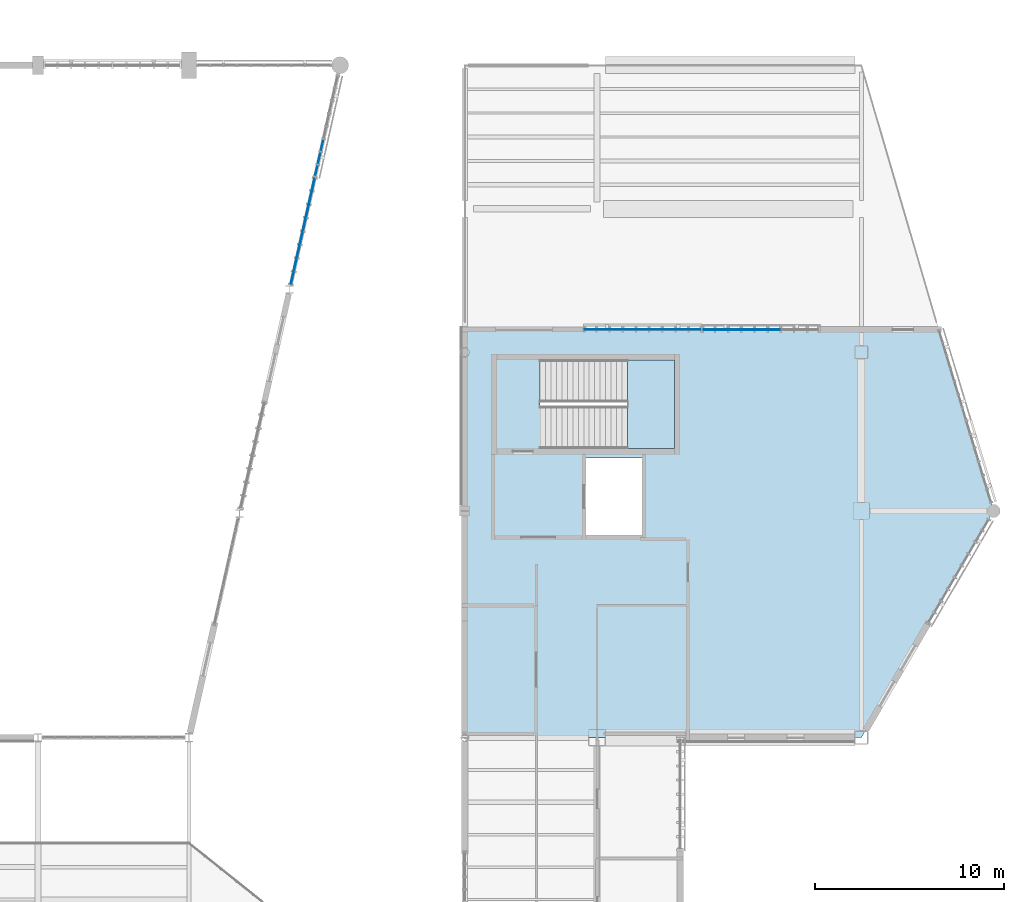
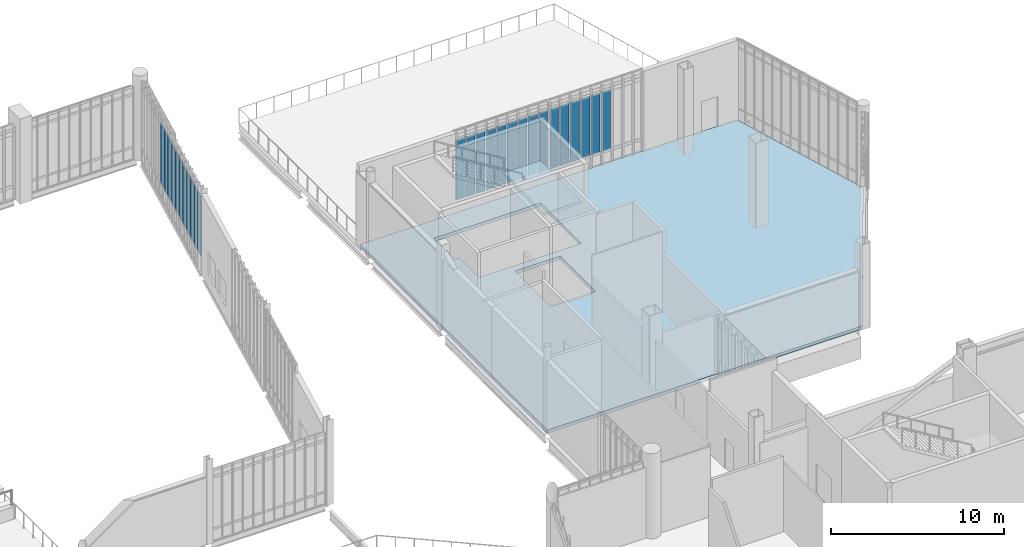
# One storey, part 77 of 135: 26 plates, 2 slabs, 5 elements without a shape of their own.
"""IFC4 building model written with IfcOpenShell, lengths in metres."""

from ifc_helpers import new_model, si_unit, direction, frame, origin, origin_2d, place, context, subcontext, project, spatial, polyline, rectangle, outline, extrude, material, layer, layer_set, type_object, element, aggregate, save


model = new_model("IFC4")

# Units and contexts
model_context = context("Model", 3, precision=1e-05, world=origin(), true_north=direction((0.0, 1.0)))
body_context = subcontext(model_context, "Body", "Model", "MODEL_VIEW")
ifc_project = project(units=[si_unit("LENGTHUNIT", "METRE"), si_unit("AREAUNIT", "SQUARE_METRE"), si_unit("VOLUMEUNIT", "CUBIC_METRE"), si_unit("PLANEANGLEUNIT", "RADIAN"), si_unit("MASSUNIT", "GRAM", prefix="KILO")], contexts=[model_context])

# Site, building, storey
site_placement = place(None, origin())
site = spatial("IfcSite", under=ifc_project, at=site_placement, CompositionType="ELEMENT")
building_placement = place(site_placement, origin())
building = spatial("IfcBuilding", under=site, at=building_placement, Name="Larkvane Passage Sports Hall", CompositionType="ELEMENT")
storey_placement = place(building_placement, frame((0.0, 0.0, 10.800048828125)))
storey = spatial("IfcBuildingStorey", under=building, at=storey_placement, Name="L02", CompositionType="ELEMENT", Elevation=10.800048828125)

# Curtain wall, plates
ifc_material_1 = material(Name="Thermally broken aluminium and low-E glazing", Category="aluminium")
curtain_wall_type_1 = type_object("IfcCurtainWallType", Name="CW-UNIT-VEIL", PredefinedType="USERDEFINED", material=ifc_material_1)
curtain_wall_1_placement = place(storey_placement, origin())
curtain_wall_1 = element("IfcCurtainWall", 1, at=curtain_wall_1_placement, inside=storey, type_object=curtain_wall_type_1, Name="Curtain wall CW5-L02-081", ObjectType="UNITISED CURTAIN WALL", PredefinedType="USERDEFINED")
ifc_material_2 = material(Name="Laminated acoustic low-E glazing", Category="glass")
ifc_layer_1 = layer(ifc_material_2, 0.031982421875)
ifc_layer_set_1 = layer_set([ifc_layer_1], Name="Laminated acoustic low-E glazing")
plate_type_1 = type_object("IfcPlateType", Name="CWP-VIS-32", PredefinedType="CURTAIN_PANEL", material=ifc_layer_set_1)
plate_1_placement = place(storey_placement, frame((117.04638671875, 94.956787109375, 0.887451171875), z_axis=(0.0, 0.0, 1.0), x_axis=(-0.219257496416, -0.975667028379, 0.0)))
plate_1 = element("IfcPlate", 2, at=plate_1_placement, type_object=plate_type_1, Name="CW-02 panel 6.2", PredefinedType="CURTAIN_PANEL", context=body_context, shape_type="SweptSolid", body=[
    extrude(rectangle(XDim=0.61865234375, YDim=0.031982421875, at=origin_2d()), origin(), (0.0, 0.0, 1.0), 4.22509765625),
])
plate_2_placement = place(storey_placement, frame((116.894287109375, 94.280029296875, 0.887451171875), z_axis=(0.0, 0.0, 1.0), x_axis=(-0.219257496416, -0.975667028379, 0.0)))
plate_2 = element("IfcPlate", 3, at=plate_2_placement, type_object=plate_type_1, Name="CW-02 panel 7.2", PredefinedType="CURTAIN_PANEL", context=body_context, shape_type="SweptSolid", body=[
    extrude(rectangle(XDim=0.61865234375, YDim=0.031982421875, at=origin_2d()), origin(), (0.0, 0.0, 1.0), 4.22509765625),
])
plate_3_placement = place(storey_placement, frame((116.746337890625, 93.621337890625, 0.887451171875), z_axis=(0.0, 0.0, 1.0), x_axis=(-0.219257496416, -0.975667028379, 0.0)))
plate_3 = element("IfcPlate", 4, at=plate_3_placement, type_object=plate_type_1, Name="CW-02 panel 8.2", PredefinedType="CURTAIN_PANEL", context=body_context, shape_type="SweptSolid", body=[
    extrude(rectangle(XDim=0.581298828125, YDim=0.031982421875, at=origin_2d()), origin(), (0.0, 0.0, 1.0), 4.22509765625),
])
aggregate(curtain_wall_1, [plate_1, plate_2, plate_3])

curtain_wall_type_2 = type_object("IfcCurtainWallType", Name="CW-STICK-FOYER", PredefinedType="USERDEFINED", material=ifc_material_1)
curtain_wall_2_placement = place(storey_placement, origin())
curtain_wall_2 = element("IfcCurtainWall", 5, at=curtain_wall_2_placement, inside=storey, type_object=curtain_wall_type_2, Name="Curtain wall CW5-L02-066", ObjectType="STICK CURTAIN WALL", PredefinedType="USERDEFINED")
ifc_material_3 = material(Name="High-impact court low-E glazing", Category="glass")
ifc_layer_2 = layer(ifc_material_3, 0.035888671875)
ifc_layer_set_2 = layer_set([ifc_layer_2], Name="High-impact court low-E glazing")
plate_type_2 = type_object("IfcPlateType", Name="CWP-VIS-36", PredefinedType="CURTAIN_PANEL", material=ifc_layer_set_2)
plate_4_placement = place(storey_placement, frame((131.24609375, 85.199951171875, 0.89501953125), z_axis=(0.0, 0.0, 1.0), x_axis=(1.0, 0.0, 0.0)))
plate_4 = element("IfcPlate", 6, at=plate_4_placement, type_object=plate_type_2, Name="CW-03 panel 1.2", PredefinedType="CURTAIN_PANEL", context=body_context, shape_type="SweptSolid", body=[
    extrude(rectangle(XDim=0.562255859375, YDim=0.035888671875, at=origin_2d()), origin(), (0.0, 0.0, 1.0), 4.2099609375),
])
plate_5_placement = place(storey_placement, frame((131.9208984375, 85.199951171875, 0.89501953125), z_axis=(0.0, 0.0, 1.0), x_axis=(1.0, 0.0, 0.0)))
plate_5 = element("IfcPlate", 7, at=plate_5_placement, type_object=plate_type_2, Name="CW-03 panel 2.2", PredefinedType="CURTAIN_PANEL", context=body_context, shape_type="SweptSolid", body=[
    extrude(rectangle(XDim=0.607177734375, YDim=0.035888671875, at=origin_2d()), origin(), (0.0, 0.0, 1.0), 4.2099609375),
])
plate_6_placement = place(storey_placement, frame((132.6181640625, 85.199951171875, 0.89501953125), z_axis=(0.0, 0.0, 1.0), x_axis=(1.0, 0.0, 0.0)))
plate_6 = element("IfcPlate", 8, at=plate_6_placement, type_object=plate_type_2, Name="CW-03 panel 3.2", PredefinedType="CURTAIN_PANEL", context=body_context, shape_type="SweptSolid", body=[
    extrude(rectangle(XDim=0.607177734375, YDim=0.035888671875, at=origin_2d()), origin(), (0.0, 0.0, 1.0), 4.2099609375),
])
plate_7_placement = place(storey_placement, frame((133.315185546875, 85.199951171875, 0.89501953125), z_axis=(0.0, 0.0, 1.0), x_axis=(1.0, 0.0, 0.0)))
plate_7 = element("IfcPlate", 9, at=plate_7_placement, type_object=plate_type_2, Name="CW-03 panel 4.2", PredefinedType="CURTAIN_PANEL", context=body_context, shape_type="SweptSolid", body=[
    extrude(rectangle(XDim=0.607177734375, YDim=0.035888671875, at=origin_2d()), origin(), (0.0, 0.0, 1.0), 4.2099609375),
])
plate_8_placement = place(storey_placement, frame((134.012451171875, 85.199951171875, 0.89501953125), z_axis=(0.0, 0.0, 1.0), x_axis=(1.0, 0.0, 0.0)))
plate_8 = element("IfcPlate", 10, at=plate_8_placement, type_object=plate_type_2, Name="CW-03 panel 5.2", PredefinedType="CURTAIN_PANEL", context=body_context, shape_type="SweptSolid", body=[
    extrude(rectangle(XDim=0.607177734375, YDim=0.035888671875, at=origin_2d()), origin(), (0.0, 0.0, 1.0), 4.2099609375),
])
plate_9_placement = place(storey_placement, frame((134.709716796875, 85.199951171875, 0.89501953125), z_axis=(0.0, 0.0, 1.0), x_axis=(1.0, 0.0, 0.0)))
plate_9 = element("IfcPlate", 11, at=plate_9_placement, type_object=plate_type_2, Name="CW-03 panel 6.2", PredefinedType="CURTAIN_PANEL", context=body_context, shape_type="SweptSolid", body=[
    extrude(rectangle(XDim=0.607177734375, YDim=0.035888671875, at=origin_2d()), origin(), (0.0, 0.0, 1.0), 4.2099609375),
])
plate_10_placement = place(storey_placement, frame((135.406982421875, 85.199951171875, 0.89501953125), z_axis=(0.0, 0.0, 1.0), x_axis=(1.0, 0.0, 0.0)))
plate_10 = element("IfcPlate", 12, at=plate_10_placement, type_object=plate_type_2, Name="CW-03 panel 7.2", PredefinedType="CURTAIN_PANEL", context=body_context, shape_type="SweptSolid", body=[
    extrude(rectangle(XDim=0.607177734375, YDim=0.035888671875, at=origin_2d()), origin(), (0.0, 0.0, 1.0), 4.2099609375),
])
plate_11_placement = place(storey_placement, frame((136.104248046875, 85.199951171875, 0.89501953125), z_axis=(0.0, 0.0, 1.0), x_axis=(1.0, 0.0, 0.0)))
plate_11 = element("IfcPlate", 13, at=plate_11_placement, type_object=plate_type_2, Name="CW-03 panel 8.2", PredefinedType="CURTAIN_PANEL", context=body_context, shape_type="SweptSolid", body=[
    extrude(rectangle(XDim=0.607177734375, YDim=0.035888671875, at=origin_2d()), origin(), (0.0, 0.0, 1.0), 4.2099609375),
])
plate_12_placement = place(storey_placement, frame((136.77880859375, 85.199951171875, 0.89501953125), z_axis=(0.0, 0.0, 1.0), x_axis=(1.0, 0.0, 0.0)))
plate_12 = element("IfcPlate", 14, at=plate_12_placement, type_object=plate_type_2, Name="CW-03 panel 9.2", PredefinedType="CURTAIN_PANEL", context=body_context, shape_type="SweptSolid", body=[
    extrude(rectangle(XDim=0.562255859375, YDim=0.035888671875, at=origin_2d()), origin(), (0.0, 0.0, 1.0), 4.2099609375),
])
aggregate(curtain_wall_2, [plate_4, plate_5, plate_6, plate_7, plate_8, plate_9, plate_10, plate_11, plate_12])

curtain_wall_3_placement = place(storey_placement, origin())
curtain_wall_3 = element("IfcCurtainWall", 15, at=curtain_wall_3_placement, inside=storey, type_object=curtain_wall_type_2, Name="Curtain wall CW5-L02-082", ObjectType="STICK CURTAIN WALL", PredefinedType="USERDEFINED")
plate_13_placement = place(storey_placement, frame((116.5810546875, 92.88623046875, 0.89501953125), z_axis=(0.0, 0.0, 1.0), x_axis=(-0.219243647747, -0.975670140428, 0.0)))
plate_13 = element("IfcPlate", 16, at=plate_13_placement, type_object=plate_type_2, Name="CW-03 panel 1.2", PredefinedType="CURTAIN_PANEL", context=body_context, shape_type="SweptSolid", body=[
    extrude(rectangle(XDim=0.595947265625, YDim=0.035888671875, at=origin_2d()), origin(), (0.0, 0.0, 1.0), 4.2099609375),
])
plate_14_placement = place(storey_placement, frame((116.42578125, 92.19482421875, 0.89501953125), z_axis=(0.0, 0.0, 1.0), x_axis=(-0.219243647747, -0.975670140428, 0.0)))
plate_14 = element("IfcPlate", 17, at=plate_14_placement, type_object=plate_type_2, Name="CW-03 panel 2.2", PredefinedType="CURTAIN_PANEL", context=body_context, shape_type="SweptSolid", body=[
    extrude(rectangle(XDim=0.64111328125, YDim=0.035888671875, at=origin_2d()), origin(), (0.0, 0.0, 1.0), 4.2099609375),
])
plate_15_placement = place(storey_placement, frame((116.265625, 91.481689453125, 0.89501953125), z_axis=(0.0, 0.0, 1.0), x_axis=(-0.219243647747, -0.975670140428, 0.0)))
plate_15 = element("IfcPlate", 18, at=plate_15_placement, type_object=plate_type_2, Name="CW-03 panel 3.2", PredefinedType="CURTAIN_PANEL", context=body_context, shape_type="SweptSolid", body=[
    extrude(rectangle(XDim=0.64111328125, YDim=0.035888671875, at=origin_2d()), origin(), (0.0, 0.0, 1.0), 4.2099609375),
])
plate_16_placement = place(storey_placement, frame((116.105224609375, 90.768310546875, 0.89501953125), z_axis=(0.0, 0.0, 1.0), x_axis=(-0.219243647747, -0.975670140428, 0.0)))
plate_16 = element("IfcPlate", 19, at=plate_16_placement, type_object=plate_type_2, Name="CW-03 panel 4.2", PredefinedType="CURTAIN_PANEL", context=body_context, shape_type="SweptSolid", body=[
    extrude(rectangle(XDim=0.64111328125, YDim=0.035888671875, at=origin_2d()), origin(), (0.0, 0.0, 1.0), 4.2099609375),
])
plate_17_placement = place(storey_placement, frame((115.945068359375, 90.05517578125, 0.89501953125), z_axis=(0.0, 0.0, 1.0), x_axis=(-0.219243647747, -0.975670140428, 0.0)))
plate_17 = element("IfcPlate", 20, at=plate_17_placement, type_object=plate_type_2, Name="CW-03 panel 5.2", PredefinedType="CURTAIN_PANEL", context=body_context, shape_type="SweptSolid", body=[
    extrude(rectangle(XDim=0.64111328125, YDim=0.035888671875, at=origin_2d()), origin(), (0.0, 0.0, 1.0), 4.2099609375),
])
plate_18_placement = place(storey_placement, frame((115.78466796875, 89.341796875, 0.89501953125), z_axis=(0.0, 0.0, 1.0), x_axis=(-0.219243647747, -0.975670140428, 0.0)))
plate_18 = element("IfcPlate", 21, at=plate_18_placement, type_object=plate_type_2, Name="CW-03 panel 6.2", PredefinedType="CURTAIN_PANEL", context=body_context, shape_type="SweptSolid", body=[
    extrude(rectangle(XDim=0.64111328125, YDim=0.035888671875, at=origin_2d()), origin(), (0.0, 0.0, 1.0), 4.2099609375),
])
plate_19_placement = place(storey_placement, frame((115.62451171875, 88.628662109375, 0.89501953125), z_axis=(0.0, 0.0, 1.0), x_axis=(-0.219243647747, -0.975670140428, 0.0)))
plate_19 = element("IfcPlate", 22, at=plate_19_placement, type_object=plate_type_2, Name="CW-03 panel 7.2", PredefinedType="CURTAIN_PANEL", context=body_context, shape_type="SweptSolid", body=[
    extrude(rectangle(XDim=0.64111328125, YDim=0.035888671875, at=origin_2d()), origin(), (0.0, 0.0, 1.0), 4.2099609375),
])
plate_20_placement = place(storey_placement, frame((115.468994140625, 87.937255859375, 0.89501953125), z_axis=(0.0, 0.0, 1.0), x_axis=(-0.219243647747, -0.975670140428, 0.0)))
plate_20 = element("IfcPlate", 23, at=plate_20_placement, type_object=plate_type_2, Name="CW-03 panel 8.2", PredefinedType="CURTAIN_PANEL", context=body_context, shape_type="SweptSolid", body=[
    extrude(rectangle(XDim=0.595947265625, YDim=0.035888671875, at=origin_2d()), origin(), (0.0, 0.0, 1.0), 4.2099609375),
])
aggregate(curtain_wall_3, [plate_13, plate_14, plate_15, plate_16, plate_17, plate_18, plate_19, plate_20])

curtain_wall_type_3 = type_object("IfcCurtainWallType", Name="CW-CLINIC", PredefinedType="USERDEFINED", material=ifc_material_1)
curtain_wall_4_placement = place(storey_placement, origin())
curtain_wall_4 = element("IfcCurtainWall", 24, at=curtain_wall_4_placement, inside=storey, type_object=curtain_wall_type_3, Name="Curtain wall CW5-L02-067", ObjectType="UNITISED CURTAIN WALL", PredefinedType="USERDEFINED")
ifc_material_4 = material(Name="Triple-laminated typhoon glazing", Category="glass")
ifc_layer_3 = layer(ifc_material_4, 0.0419921875)
ifc_layer_set_3 = layer_set([ifc_layer_3], Name="Triple-laminated typhoon glazing")
plate_type_3 = type_object("IfcPlateType", Name="CWP-VIS-42", PredefinedType="CURTAIN_PANEL", material=ifc_layer_set_3)
plate_21_placement = place(storey_placement, frame((137.523681640625, 85.199951171875, 0.89990234375), z_axis=(0.0, 0.0, 1.0), x_axis=(1.0, 0.0, 0.0)))
plate_21 = element("IfcPlate", 25, at=plate_21_placement, type_object=plate_type_3, Name="CW-05 panel 1.2", PredefinedType="CURTAIN_PANEL", context=body_context, shape_type="SweptSolid", body=[
    extrude(rectangle(XDim=0.547119140625, YDim=0.0419921875, at=origin_2d()), origin(), (0.0, 0.0, 1.0), 4.199951171875),
])
plate_22_placement = place(storey_placement, frame((138.19580078125, 85.199951171875, 0.89990234375), z_axis=(0.0, 0.0, 1.0), x_axis=(1.0, 0.0, 0.0)))
plate_22 = element("IfcPlate", 26, at=plate_22_placement, type_object=plate_type_3, Name="CW-05 panel 2.2", PredefinedType="CURTAIN_PANEL", context=body_context, shape_type="SweptSolid", body=[
    extrude(rectangle(XDim=0.59716796875, YDim=0.0419921875, at=origin_2d()), origin(), (0.0, 0.0, 1.0), 4.199951171875),
])
plate_23_placement = place(storey_placement, frame((138.89306640625, 85.199951171875, 0.89990234375), z_axis=(0.0, 0.0, 1.0), x_axis=(1.0, 0.0, 0.0)))
plate_23 = element("IfcPlate", 27, at=plate_23_placement, type_object=plate_type_3, Name="CW-05 panel 3.2", PredefinedType="CURTAIN_PANEL", context=body_context, shape_type="SweptSolid", body=[
    extrude(rectangle(XDim=0.59716796875, YDim=0.0419921875, at=origin_2d()), origin(), (0.0, 0.0, 1.0), 4.199951171875),
])
plate_24_placement = place(storey_placement, frame((139.59033203125, 85.199951171875, 0.89990234375), z_axis=(0.0, 0.0, 1.0), x_axis=(1.0, 0.0, 0.0)))
plate_24 = element("IfcPlate", 28, at=plate_24_placement, type_object=plate_type_3, Name="CW-05 panel 4.2", PredefinedType="CURTAIN_PANEL", context=body_context, shape_type="SweptSolid", body=[
    extrude(rectangle(XDim=0.59716796875, YDim=0.0419921875, at=origin_2d()), origin(), (0.0, 0.0, 1.0), 4.199951171875),
])
plate_25_placement = place(storey_placement, frame((140.28759765625, 85.199951171875, 0.89990234375), z_axis=(0.0, 0.0, 1.0), x_axis=(1.0, 0.0, 0.0)))
plate_25 = element("IfcPlate", 29, at=plate_25_placement, type_object=plate_type_3, Name="CW-05 panel 5.2", PredefinedType="CURTAIN_PANEL", context=body_context, shape_type="SweptSolid", body=[
    extrude(rectangle(XDim=0.59716796875, YDim=0.0419921875, at=origin_2d()), origin(), (0.0, 0.0, 1.0), 4.199951171875),
])
plate_26_placement = place(storey_placement, frame((140.984619140625, 85.199951171875, 0.89990234375), z_axis=(0.0, 0.0, 1.0), x_axis=(1.0, 0.0, 0.0)))
plate_26 = element("IfcPlate", 30, at=plate_26_placement, type_object=plate_type_3, Name="CW-05 panel 6.2", PredefinedType="CURTAIN_PANEL", context=body_context, shape_type="SweptSolid", body=[
    extrude(rectangle(XDim=0.59716796875, YDim=0.0419921875, at=origin_2d()), origin(), (0.0, 0.0, 1.0), 4.199951171875),
])
aggregate(curtain_wall_4, [plate_21, plate_22, plate_23, plate_24, plate_25, plate_26])

# Slab
ifc_material_5 = material(Name="Concrete C40/50", Category="concrete")
ifc_layer_4 = layer(ifc_material_5, 0.22998046875)
ifc_layer_set_4 = layer_set([ifc_layer_4], Name="Concrete C40/50")
slab_type_1 = type_object("IfcSlabType", Name="SLB-FLR-230", PredefinedType="FLOOR", material=ifc_layer_set_4)
slab_1_placement = place(storey_placement, frame((0.0, 0.0, -0.22998046875)))
element("IfcSlab", 31, at=slab_1_placement, inside=storey, type_object=slab_type_1, Name="Structural floor slab SLAB-L02-V4", PredefinedType="FLOOR", context=body_context, shape_type="SweptSolid", body=[
    extrude(outline(polyline([(124.60009765625, 63.60009765625), (145.60009765625, 63.60009765625), (152.60009765625, 75.60009765625), (149.699951171875, 85.199951171875), (124.60009765625, 85.199951171875), (124.60009765625, 63.60009765625)]), holes=[polyline([(128.8798828125, 78.89990234375), (128.8798828125, 81.14990234375), (128.58056640625, 81.14990234375), (128.58056640625, 83.60009765625), (135.699951171875, 83.60009765625), (135.699951171875, 78.89990234375), (128.8798828125, 78.89990234375)]), polyline([(131.0, 78.39990234375), (134.0, 78.39990234375), (134.0, 74.300048828125), (131.0, 74.300048828125), (131.0, 78.39990234375)])]), origin(), (0.0, 0.0, 1.0), 0.22998046875),
])

# Stair, slab
stair_type = type_object("IfcStairType", Name="STR-CORE-2250", PredefinedType="HALF_TURN_STAIR", material=ifc_material_5)
stair_placement = place(storey_placement, origin())
stair = element("IfcStair", 32, at=stair_placement, inside=storey, type_object=stair_type, Name="L02 Protected exit stair ST-06", PredefinedType="HALF_TURN_STAIR")
ifc_layer_5 = layer(ifc_material_5, 0.199951171875)
ifc_layer_set_5 = layer_set([ifc_layer_5], Name="Concrete C40/50")
slab_type_2 = type_object("IfcSlabType", Name="SLB-LAND-200", PredefinedType="LANDING", material=ifc_layer_set_5)
slab_2_placement = place(storey_placement, frame((0.0, 0.0, 2.800048828125)))
slab_2 = element("IfcSlab", 33, at=slab_2_placement, type_object=slab_type_2, Name="ST-06 landing 1", PredefinedType="LANDING", context=body_context, shape_type="SweptSolid", body=[
    extrude(outline(polyline([(133.219970703125, 78.89990234375), (135.699951171875, 78.89990234375), (135.699951171875, 83.60009765625), (133.219970703125, 83.60009765625), (133.219970703125, 78.89990234375)])), origin(), (0.0, 0.0, 1.0), 0.199951171875),
])
aggregate(stair, [slab_2])

save(model, "model.ifc")
